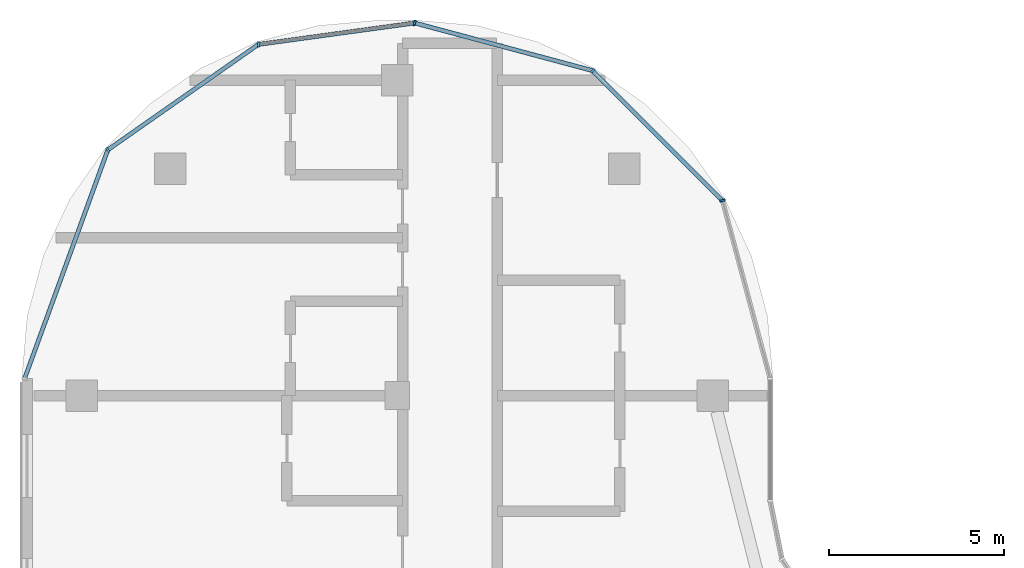
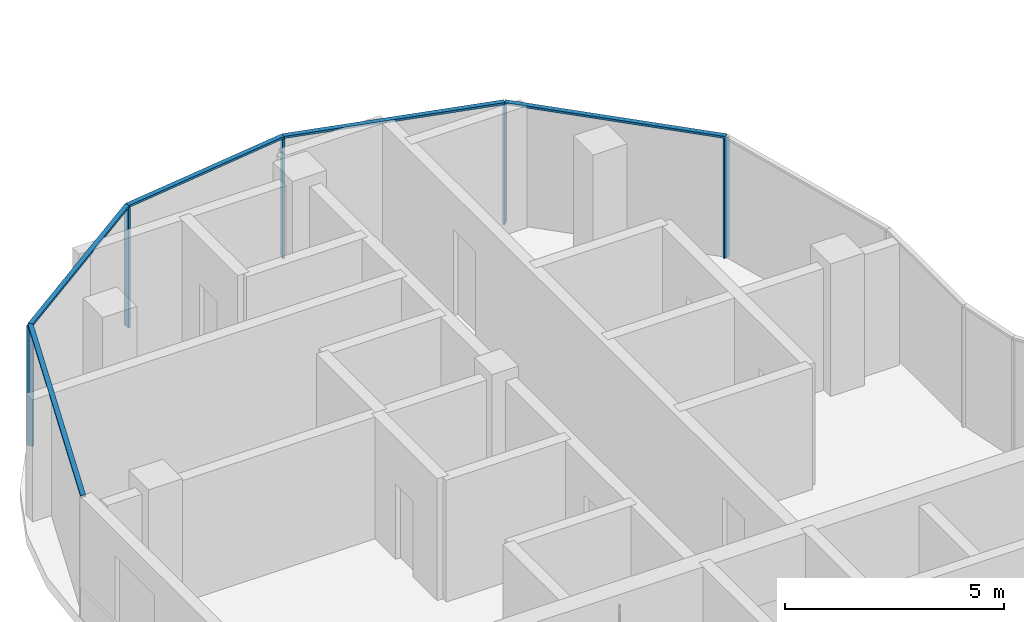
# One storey, part 6 of 19: 10 members, 1 element without a shape of its own.
"""IFC4 building model written with IfcOpenShell, lengths in metres."""

from ifc_helpers import new_model, si_unit, direction, frame, origin, origin_2d, place, context, subcontext, project, spatial, rectangle, extrude, material, material_profile, profile_set, type_object, element, aggregate, save


model = new_model("IFC4")

# Units and contexts
model_context = context("Model", 3, precision=1e-05, world=origin(), true_north=direction((0.0, 1.0)))
body_context = subcontext(model_context, "Body", "Model", "MODEL_VIEW")
ifc_project = project(units=[si_unit("LENGTHUNIT", "METRE"), si_unit("AREAUNIT", "SQUARE_METRE"), si_unit("VOLUMEUNIT", "CUBIC_METRE"), si_unit("PLANEANGLEUNIT", "RADIAN"), si_unit("MASSUNIT", "GRAM", prefix="KILO")], contexts=[model_context])

# Site, building, storey
site_placement = place(None, origin())
site = spatial("IfcSite", under=ifc_project, at=site_placement, CompositionType="ELEMENT")
building_placement = place(site_placement, origin())
building = spatial("IfcBuilding", under=site, at=building_placement, Name="Ogive Portal Towers", CompositionType="ELEMENT")
storey_placement = place(building_placement, frame((0.0, 0.0, 199.5)))
storey = spatial("IfcBuildingStorey", under=building, at=storey_placement, Name="L49", CompositionType="ELEMENT", Elevation=199.5)

# Curtain wall, members
ifc_material_1 = material(Name="Glass, clear low-iron insulated glazing", Category="glass")
curtain_wall_type = type_object("IfcCurtainWallType", Name="CW FRONT RIBBON 4500", PredefinedType="NOTDEFINED", material=ifc_material_1)
curtain_wall_placement = place(storey_placement, origin())
curtain_wall = element("IfcCurtainWall", 1, at=curtain_wall_placement, inside=storey, type_object=curtain_wall_type, Name="A:L49:f19:cwa", PredefinedType="NOTDEFINED")
ifc_material_2 = material(Name="Aluminium 6063 anodised", Category="aluminium")
ifc_material_profile_1 = material_profile(ifc_material_2, rectangle(XDim=0.159912109375, YDim=0.06005859375, at=origin_2d()), Name="AL 60x160")
ifc_profile_set_1 = profile_set([ifc_material_profile_1], Name="Aluminium 6063 anodised")
member_type_1 = type_object("IfcMemberType", Name="CW MULLION 60x160", PredefinedType="MULLION", material=ifc_profile_set_1)
member_1_placement = place(storey_placement, frame((49.774658203125, 54.066162109375, 0.0), z_axis=(0.0, 0.0, 1.0), x_axis=(-0.965925826289, -0.258819045103, 0.0)))
member_1 = element("IfcMember", 2, at=member_1_placement, type_object=member_type_1, Name="mullion", PredefinedType="MULLION", context=body_context, shape_type="SweptSolid", body=[
    extrude(rectangle(XDim=0.159912109375, YDim=0.06005859375, at=origin_2d()), origin(), (0.0, 0.0, 1.0), 3.340087890625),
])
member_2_placement = place(storey_placement, frame((46.066162109375, 57.774658203125, 0.0), z_axis=(0.0, 0.0, 1.0), x_axis=(-0.707106781187, -0.707106781187, 0.0)))
member_2 = element("IfcMember", 3, at=member_2_placement, type_object=member_type_1, Name="mullion", PredefinedType="MULLION", context=body_context, shape_type="SweptSolid", body=[
    extrude(rectangle(XDim=0.159912109375, YDim=0.06005859375, at=origin_2d()), origin(), (0.0, 0.0, 1.0), 3.340087890625),
])
member_3_placement = place(storey_placement, frame((40.994873046875, 59.133544921875, 0.0), z_axis=(0.0, 0.0, 1.0), x_axis=(-0.258819045103, -0.965925826289, 0.0)))
member_3 = element("IfcMember", 4, at=member_3_placement, type_object=member_type_1, Name="mullion", PredefinedType="MULLION", context=body_context, shape_type="SweptSolid", body=[
    extrude(rectangle(XDim=0.159912109375, YDim=0.06005859375, at=origin_2d()), origin(), (0.0, 0.0, 1.0), 3.340087890625),
])
member_4_placement = place(storey_placement, frame((36.536376953125, 58.522216796875, 0.0), z_axis=(0.0, 0.0, 1.0), x_axis=(0.135818290186, -0.990733764465, 0.0)))
member_4 = element("IfcMember", 5, at=member_4_placement, type_object=member_type_1, Name="mullion", PredefinedType="MULLION", context=body_context, shape_type="SweptSolid", body=[
    extrude(rectangle(XDim=0.159912109375, YDim=0.06005859375, at=origin_2d()), origin(), (0.0, 0.0, 1.0), 3.340087890625),
])
member_5_placement = place(storey_placement, frame((32.241455078125, 55.514892578125, 0.0), z_axis=(0.0, 0.0, 1.0), x_axis=(0.573576436351, -0.819152044289, 0.0)))
member_5 = element("IfcMember", 6, at=member_5_placement, type_object=member_type_1, Name="mullion", PredefinedType="MULLION", context=body_context, shape_type="SweptSolid", body=[
    extrude(rectangle(XDim=0.159912109375, YDim=0.06005859375, at=origin_2d()), origin(), (0.0, 0.0, 1.0), 3.340087890625),
])
ifc_material_profile_2 = material_profile(ifc_material_2, rectangle(XDim=0.1201171875, YDim=0.06005859375, at=origin_2d()), Name="AL 120x60")
ifc_profile_set_2 = profile_set([ifc_material_profile_2], Name="Aluminium 6063 anodised")
member_type_2 = type_object("IfcMemberType", Name="CW TRANSOM 60x120", PredefinedType="USERDEFINED", material=ifc_profile_set_2)
member_6_placement = place(storey_placement, frame((49.774658203125, 54.066162109375, 3.3701171875), z_axis=(-0.707106781187, 0.707106781187, 0.0), x_axis=(-0.707106781187, -0.707106781187, 0.0)))
member_6 = element("IfcMember", 7, at=member_6_placement, type_object=member_type_2, Name="transom", ObjectType="TRANSOM", PredefinedType="USERDEFINED", context=body_context, shape_type="SweptSolid", body=[
    extrude(rectangle(XDim=0.1201171875, YDim=0.06005859375, at=origin_2d()), origin(), (0.0, 0.0, 1.0), 5.24462890625),
])
member_7_placement = place(storey_placement, frame((46.066162109375, 57.774658203125, 3.3701171875), z_axis=(-0.965923973482, 0.258825959773, 0.0), x_axis=(-0.258825959773, -0.965923973482, 0.0)))
member_7 = element("IfcMember", 8, at=member_7_placement, type_object=member_type_2, Name="transom", ObjectType="TRANSOM", PredefinedType="USERDEFINED", context=body_context, shape_type="SweptSolid", body=[
    extrude(rectangle(XDim=0.1201171875, YDim=0.06005859375, at=origin_2d()), origin(), (0.0, 0.0, 1.0), 5.250244140625),
])
member_8_placement = place(storey_placement, frame((40.994873046875, 59.133544921875, 3.3701171875), z_axis=(-0.990730199866, -0.135844289808, 0.0), x_axis=(0.135844289808, -0.990730199866, 0.0)))
member_8 = element("IfcMember", 9, at=member_8_placement, type_object=member_type_2, Name="transom", ObjectType="TRANSOM", PredefinedType="USERDEFINED", context=body_context, shape_type="SweptSolid", body=[
    extrude(rectangle(XDim=0.1201171875, YDim=0.06005859375, at=origin_2d()), origin(), (0.0, 0.0, 1.0), 4.500244140625),
])
member_9_placement = place(storey_placement, frame((36.536376953125, 58.522216796875, 3.3701171875), z_axis=(-0.819153160327, -0.57357484248, 0.0), x_axis=(0.57357484248, -0.819153160327, 0.0)))
member_9 = element("IfcMember", 10, at=member_9_placement, type_object=member_type_2, Name="transom", ObjectType="TRANSOM", PredefinedType="USERDEFINED", context=body_context, shape_type="SweptSolid", body=[
    extrude(rectangle(XDim=0.1201171875, YDim=0.06005859375, at=origin_2d()), origin(), (0.0, 0.0, 1.0), 5.2431640625),
])
member_10_placement = place(storey_placement, frame((32.241455078125, 55.514892578125, 3.3701171875), z_axis=(-0.342030817509, -0.939688735632, 0.0), x_axis=(0.939688735632, -0.342030817509, 0.0)))
member_10 = element("IfcMember", 11, at=member_10_placement, type_object=member_type_2, Name="transom", ObjectType="TRANSOM", PredefinedType="USERDEFINED", context=body_context, shape_type="SweptSolid", body=[
    extrude(rectangle(XDim=0.1201171875, YDim=0.06005859375, at=origin_2d()), origin(), (0.0, 0.0, 1.0), 6.947998046875),
])
aggregate(curtain_wall, [member_6, member_7, member_8, member_9, member_10, member_1, member_2, member_3, member_4, member_5])

save(model, "model.ifc")
